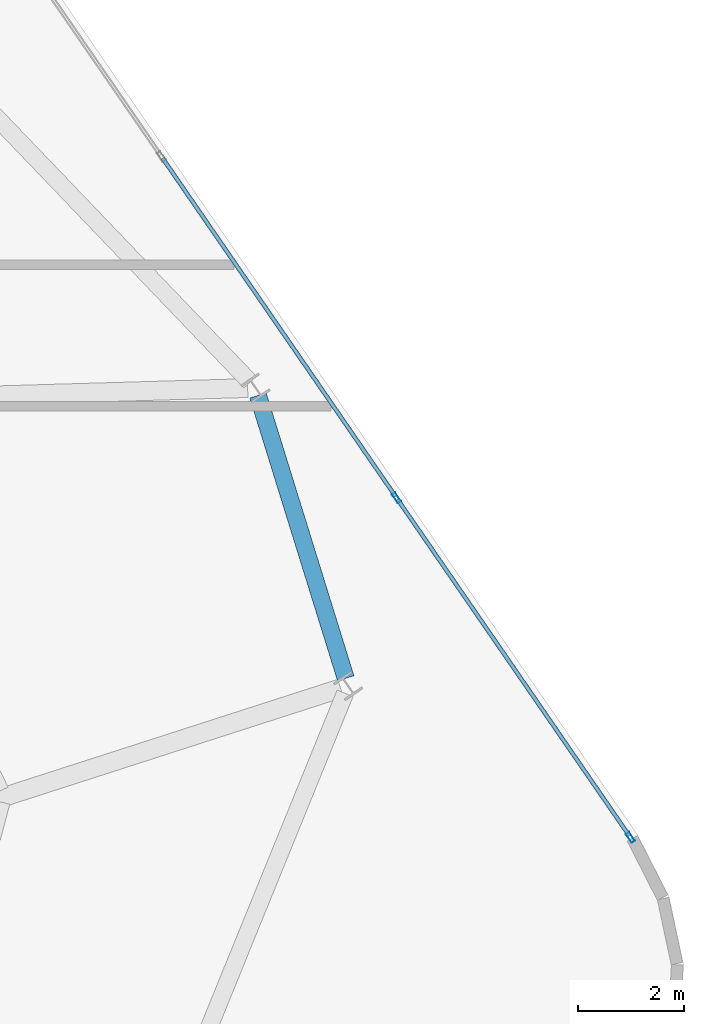
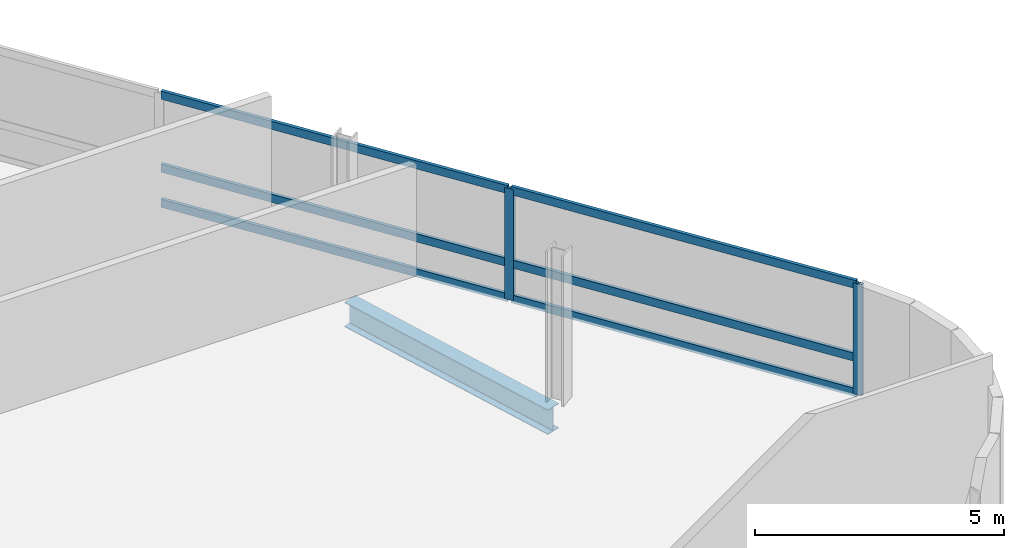
# One storey, part 11 of 21: 8 members, 1 beam, 1 element without a shape of its own.
"""IFC4 building model written with IfcOpenShell, lengths in metres."""

from ifc_helpers import new_model, si_unit, direction, frame, origin, origin_2d, place, context, subcontext, project, spatial, hollow_rectangle, i_section, extrude, material, layer, layer_set, material_profile, profile_set, type_object, element, aggregate, save


model = new_model("IFC4")

# Units and contexts
model_context = context("Model", 3, precision=1e-05, world=origin(), true_north=direction((0.0, 1.0)))
body_context = subcontext(model_context, "Body", "Model", "MODEL_VIEW")
ifc_project = project(units=[si_unit("LENGTHUNIT", "METRE"), si_unit("AREAUNIT", "SQUARE_METRE"), si_unit("VOLUMEUNIT", "CUBIC_METRE"), si_unit("PLANEANGLEUNIT", "RADIAN"), si_unit("MASSUNIT", "GRAM", prefix="KILO")], contexts=[model_context])

# Site, building, storey
site_placement = place(None, origin())
site = spatial("IfcSite", under=ifc_project, at=site_placement, CompositionType="ELEMENT")
building_placement = place(site_placement, origin())
building = spatial("IfcBuilding", under=site, at=building_placement, Name="Varnelok Gate Tower", CompositionType="ELEMENT")
storey_placement = place(building_placement, frame((0.0, 0.0, 269.300048828125)))
storey = spatial("IfcBuildingStorey", under=building, at=storey_placement, Name="L69", CompositionType="ELEMENT", Elevation=269.300048828125)

# Beam
ifc_material_1 = material(Name="Structural Steel ASTM A992 Grade 50", Category="steel")
ifc_material_profile_1 = material_profile(ifc_material_1, i_section(OverallWidth=0.323974609375, OverallDepth=0.611083984375, WebThickness=0.0126953125, FlangeThickness=0.01904296875, FilletRadius=0.01806640625, at=origin_2d()), Name="W24X104")
ifc_profile_set_1 = profile_set([ifc_material_profile_1], Name="Structural Steel ASTM A992 Grade 50")
beam_type = type_object("IfcBeamType", Name="BM-SPN-W24X104", PredefinedType="SPANDREL", material=ifc_profile_set_1)
beam_placement = place(storey_placement, frame((69.8125, 34.1748046875, -0.5556640625), z_axis=(-0.296340003452, 0.955082510757, 0.0), x_axis=(-0.955082510757, -0.296340003452, 0.0)))
element("IfcBeam", 1, at=beam_placement, inside=storey, type_object=beam_type, Name="L69 Perimeter Spandrel Beam 6", PredefinedType="SPANDREL", context=body_context, shape_type="SweptSolid", body=[
    extrude(i_section(OverallWidth=0.323974609375, OverallDepth=0.611083984375, WebThickness=0.0126953125, FlangeThickness=0.01904296875, FilletRadius=0.01806640625, at=origin_2d()), origin(), (0.0, 0.0, 1.0), 5.57666015625),
])

# Curtain wall, members
ifc_material_2 = material(Name="Anodized Aluminum Alloy 6063-T6", Category="aluminium")
ifc_layer = layer(ifc_material_2, 0.179931640625)
ifc_layer_set = layer_set([ifc_layer], Name="Anodized Aluminum Alloy 6063-T6")
curtain_wall_type = type_object("IfcCurtainWallType", Name="CW4-RESIDENCE-VISION", PredefinedType="USERDEFINED", material=ifc_layer_set)
curtain_wall_placement = place(storey_placement, origin())
curtain_wall = element("IfcCurtainWall", 2, at=curtain_wall_placement, inside=storey, type_object=curtain_wall_type, Name="L69 East End Vision Curtain Wall", ObjectType="UNITISED CURTAIN WALL", PredefinedType="USERDEFINED")
ifc_material_profile_2 = material_profile(ifc_material_2, hollow_rectangle(XDim=0.074951171875, YDim=0.199951171875, WallThickness=0.00390625, at=origin_2d()), Name="ALU200X75X4")
ifc_profile_set_2 = profile_set([ifc_material_profile_2], Name="Anodized Aluminum Alloy 6063-T6")
member_type_1 = type_object("IfcMemberType", Name="CW-MULL-200", PredefinedType="MULLION", material=ifc_profile_set_2)
member_1_placement = place(storey_placement, frame((70.768310546875, 37.57373046875, 0.0), z_axis=(0.0, 0.0, 1.0), x_axis=(0.823532290241, 0.567269395376, 0.0)))
member_1 = element("IfcMember", 3, at=member_1_placement, type_object=member_type_1, Name="CW4 mullion 4", PredefinedType="MULLION", context=body_context, shape_type="SweptSolid", body=[
    extrude(hollow_rectangle(XDim=0.074951171875, YDim=0.199951171875, WallThickness=0.00390625, at=origin_2d()), origin(), (0.0, 0.0, 1.0), 2.72998046875),
])
member_2_placement = place(storey_placement, frame((75.171630859375, 31.180908203125, 0.0), z_axis=(0.0, 0.0, 1.0), x_axis=(0.823532290241, 0.567269395376, 0.0)))
member_2 = element("IfcMember", 4, at=member_2_placement, type_object=member_type_1, Name="CW4 mullion 5", PredefinedType="MULLION", context=body_context, shape_type="SweptSolid", body=[
    extrude(hollow_rectangle(XDim=0.074951171875, YDim=0.199951171875, WallThickness=0.00390625, at=origin_2d()), origin(), (0.0, 0.0, 1.0), 2.72998046875),
])
ifc_material_profile_3 = material_profile(ifc_material_2, hollow_rectangle(XDim=0.074951171875, YDim=0.199951171875, WallThickness=0.00390625, at=origin_2d()), Name="ALU200X75X4")
ifc_profile_set_3 = profile_set([ifc_material_profile_3], Name="Anodized Aluminum Alloy 6063-T6")
member_type_2 = type_object("IfcMemberType", Name="CW-TRAN-200", PredefinedType="USERDEFINED", material=ifc_profile_set_3)
member_3_placement = place(storey_placement, frame((66.364990234375, 43.96630859375, 0.037353515625), z_axis=(0.567260941086, -0.823538113701, 0.0), x_axis=(0.823538113701, 0.567260941086, 0.0)))
member_3 = element("IfcMember", 5, at=member_3_placement, type_object=member_type_2, Name="CW4 transom 3.1", ObjectType="TRANSOM", PredefinedType="USERDEFINED", context=body_context, shape_type="SweptSolid", body=[
    extrude(hollow_rectangle(XDim=0.074951171875, YDim=0.199951171875, WallThickness=0.00390625, at=origin_2d()), origin(), (0.0, 0.0, 1.0), 7.72509765625),
])
member_4_placement = place(storey_placement, frame((66.364990234375, 43.96630859375, 0.89990234375), z_axis=(0.567260941086, -0.823538113701, 0.0), x_axis=(0.823538113701, 0.567260941086, 0.0)))
member_4 = element("IfcMember", 6, at=member_4_placement, type_object=member_type_2, Name="CW4 transom 3.2", ObjectType="TRANSOM", PredefinedType="USERDEFINED", context=body_context, shape_type="SweptSolid", body=[
    extrude(hollow_rectangle(XDim=0.074951171875, YDim=0.199951171875, WallThickness=0.00390625, at=origin_2d()), origin(), (0.0, 0.0, 1.0), 7.72509765625),
])
member_5_placement = place(storey_placement, frame((66.364990234375, 43.96630859375, 2.6923828125), z_axis=(0.567260941086, -0.823538113701, 0.0), x_axis=(0.823538113701, 0.567260941086, 0.0)))
member_5 = element("IfcMember", 7, at=member_5_placement, type_object=member_type_2, Name="CW4 transom 3.3", ObjectType="TRANSOM", PredefinedType="USERDEFINED", context=body_context, shape_type="SweptSolid", body=[
    extrude(hollow_rectangle(XDim=0.074951171875, YDim=0.199951171875, WallThickness=0.00390625, at=origin_2d()), origin(), (0.0, 0.0, 1.0), 7.72509765625),
])
member_6_placement = place(storey_placement, frame((70.78955078125, 37.542724609375, 0.037353515625), z_axis=(0.567271254331, -0.823531009744, 0.0), x_axis=(0.823531009744, 0.567271254331, 0.0)))
member_6 = element("IfcMember", 8, at=member_6_placement, type_object=member_type_2, Name="CW4 transom 4.1", ObjectType="TRANSOM", PredefinedType="USERDEFINED", context=body_context, shape_type="SweptSolid", body=[
    extrude(hollow_rectangle(XDim=0.074951171875, YDim=0.199951171875, WallThickness=0.00390625, at=origin_2d()), origin(), (0.0, 0.0, 1.0), 7.6875),
])
member_7_placement = place(storey_placement, frame((70.78955078125, 37.542724609375, 0.89990234375), z_axis=(0.567271254331, -0.823531009744, 0.0), x_axis=(0.823531009744, 0.567271254331, 0.0)))
member_7 = element("IfcMember", 9, at=member_7_placement, type_object=member_type_2, Name="CW4 transom 4.2", ObjectType="TRANSOM", PredefinedType="USERDEFINED", context=body_context, shape_type="SweptSolid", body=[
    extrude(hollow_rectangle(XDim=0.074951171875, YDim=0.199951171875, WallThickness=0.00390625, at=origin_2d()), origin(), (0.0, 0.0, 1.0), 7.6875),
])
member_8_placement = place(storey_placement, frame((70.78955078125, 37.542724609375, 2.6923828125), z_axis=(0.567271254331, -0.823531009744, 0.0), x_axis=(0.823531009744, 0.567271254331, 0.0)))
member_8 = element("IfcMember", 10, at=member_8_placement, type_object=member_type_2, Name="CW4 transom 4.3", ObjectType="TRANSOM", PredefinedType="USERDEFINED", context=body_context, shape_type="SweptSolid", body=[
    extrude(hollow_rectangle(XDim=0.074951171875, YDim=0.199951171875, WallThickness=0.00390625, at=origin_2d()), origin(), (0.0, 0.0, 1.0), 7.6875),
])
aggregate(curtain_wall, [member_1, member_2, member_3, member_4, member_5, member_6, member_7, member_8])

save(model, "model.ifc")
